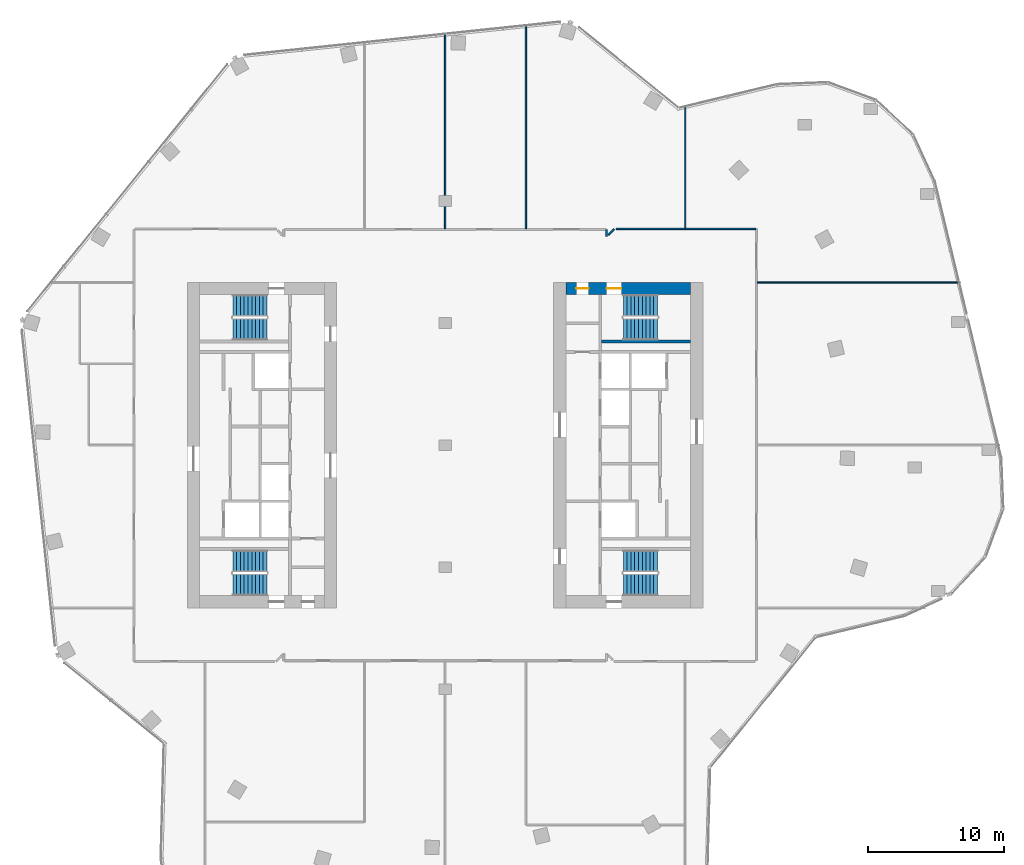
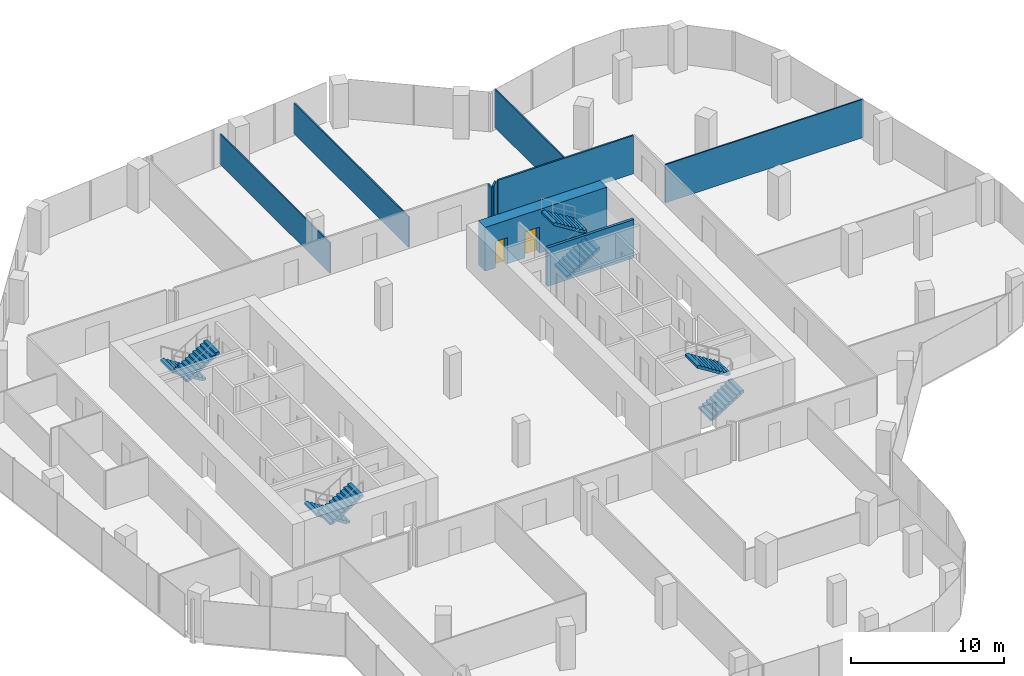
# One storey, part 21 of 23: 9 walls, 8 stair flights, 2 doors, 2 openings, 4 elements without a shape of their own.
"""IFC4 building model written with IfcOpenShell, lengths in metres."""

import ifcopenshell
import ifcopenshell.guid

model = None  # the IFC model being written
_history = None  # IfcOwnerHistory: only IFC2X3 demands one
_inside = {}  # id of a spatial element -> (the spatial element, [elements in it])
_under = {}  # id of a project, library or spatial element -> (it, [spatial elements below it])
_declared = {}  # id of a project -> (the project, [libraries it declares])
_typed = {}  # id of a type object -> (the type object, [elements of that type])
_made_of = {}  # id of a material, layer set ... -> (it, [elements and type objects made of it])


def new_model(schema):
    """Start an empty IFC model of exactly this schema.

    Asked for "IFC4X3", IfcOpenShell would pick the latest addendum, in which some entities
    have other attributes; the version numbers below select the first issue.
    IFC2X3 requires an IfcOwnerHistory on every rooted entity: one is made here for all.
    """
    global model, _history
    if schema == "IFC4X3":
        model = ifcopenshell.file(schema_version=(4, 3, 0, 0))
    else:
        model = ifcopenshell.file(schema=schema)
    _inside.clear()
    _under.clear()
    _declared.clear()
    _typed.clear()
    _made_of.clear()
    _history = None
    if model.schema == "IFC2X3":
        org = make("IfcOrganization", Name="unknown")
        user = make(
            "IfcPersonAndOrganization",
            ThePerson=make("IfcPerson", FamilyName="unknown"),
            TheOrganization=org,
        )
        app = make(
            "IfcApplication",
            ApplicationDeveloper=org,
            Version="unknown",
            ApplicationFullName="unknown",
            ApplicationIdentifier="unknown",
        )
        _history = make(
            "IfcOwnerHistory",
            OwningUser=user,
            OwningApplication=app,
            ChangeAction="ADDED",
            CreationDate=0,
        )
    return model


def make(cls, **values):
    """One entity of the class cls with the attributes given. An attribute that is None is left unset."""
    return model.create_entity(
        cls, **{name: value for name, value in values.items() if value is not None}
    )


def rooted(cls, **values):
    """An entity with a GlobalId (a new one), such as an element, a storey or a relation."""
    return make(cls, GlobalId=ifcopenshell.guid.new(), OwnerHistory=_history, **values)


def si_unit(unit_type, name, prefix=None):
    """IfcSIUnit, for example si_unit("LENGTHUNIT", "METRE", prefix="MILLI")."""
    return make("IfcSIUnit", UnitType=unit_type, Prefix=prefix, Name=name)


def assignment(units):
    """IfcUnitAssignment: the units of a project."""
    return None if units is None else make("IfcUnitAssignment", Units=units)


def point(xyz):
    """IfcCartesianPoint."""
    return None if xyz is None else make("IfcCartesianPoint", Coordinates=xyz)


def direction(xyz):
    """IfcDirection."""
    return None if xyz is None else make("IfcDirection", DirectionRatios=xyz)


def frame(location, z_axis=None, x_axis=None):
    """IfcAxis2Placement3D, a coordinate frame: its origin and axes. An axis left out is left unset."""
    return make(
        "IfcAxis2Placement3D",
        Location=point(location),
        Axis=direction(z_axis),
        RefDirection=direction(x_axis),
    )


def frame_2d(location, x_axis=None):
    """IfcAxis2Placement2D, a coordinate frame in the plane: its origin and x axis."""
    return make(
        "IfcAxis2Placement2D", Location=point(location), RefDirection=direction(x_axis)
    )


def origin():
    """The frame at (0, 0, 0) with its axes left unset."""
    return frame((0.0, 0.0, 0.0))


def place(relative_to, where):
    """IfcLocalPlacement: puts the frame where relative to a parent placement (None: the world)."""
    return make(
        "IfcLocalPlacement", PlacementRelTo=relative_to, RelativePlacement=where
    )


def context(
    kind, dimensions, precision=None, world=None, true_north=None, identifier=None
):
    """IfcGeometricRepresentationContext, for example the 3D "Model" context."""
    return make(
        "IfcGeometricRepresentationContext",
        ContextIdentifier=identifier,
        ContextType=kind,
        CoordinateSpaceDimension=dimensions,
        Precision=precision,
        WorldCoordinateSystem=world,
        TrueNorth=true_north,
    )


def subcontext(parent, identifier, kind, view, scale=None):
    """IfcGeometricRepresentationSubContext, for example "Body" below "Model"."""
    return make(
        "IfcGeometricRepresentationSubContext",
        ContextIdentifier=identifier,
        ContextType=kind,
        ParentContext=parent,
        TargetScale=scale,
        TargetView=view,
    )


def project(units=None, contexts=None):
    """IfcProject with its units and contexts."""
    return rooted(
        "IfcProject",
        Name="project",
        RepresentationContexts=contexts,
        UnitsInContext=assignment(units),
    )


def spatial(cls, under=None, at=None, **own):
    """A site, building, storey or space (cls), placed at a placement, below another one or the project."""
    s = rooted(cls, ObjectPlacement=at, **own)
    if under is not None:
        _under.setdefault(under.id(), (under, []))[1].append(s)
    return s


def polyline(points):
    """IfcPolyline through the points."""
    return make("IfcPolyline", Points=[point(p) for p in points])


def profile(cls, at=None, kind="AREA", **sizes):
    """A parametric profile (cls). Its sizes go by their IFC names, for example OverallWidth=200.0."""
    return make(cls, ProfileType=kind, Position=at, **sizes)


def rectangle(**sizes):
    """IfcRectangleProfileDef."""
    return profile("IfcRectangleProfileDef", **sizes)


def outline(outer, holes=None, kind="AREA"):
    """IfcArbitraryClosedProfileDef: a profile drawn as a closed curve; with holes, ...WithVoids."""
    if holes is None:
        return make("IfcArbitraryClosedProfileDef", ProfileType=kind, OuterCurve=outer)
    return make(
        "IfcArbitraryProfileDefWithVoids",
        ProfileType=kind,
        OuterCurve=outer,
        InnerCurves=holes,
    )


def extrude(swept, where, along, depth):
    """IfcExtrudedAreaSolid: the profile swept, set in the frame where, extruded along a direction by depth."""
    return make(
        "IfcExtrudedAreaSolid",
        SweptArea=swept,
        Position=where,
        ExtrudedDirection=direction(along),
        Depth=depth,
    )


def shape(context_of_items, identifier, shape_type, items):
    """IfcShapeRepresentation: the items that make up one representation, for example the "Body"."""
    return make(
        "IfcShapeRepresentation",
        ContextOfItems=context_of_items,
        RepresentationIdentifier=identifier,
        RepresentationType=shape_type,
        Items=items,
    )


def material(Name=None, Category=None):
    """IfcMaterial."""
    return make("IfcMaterial", Name=Name, Category=Category)


def layer(
    of_material, thickness, ventilated=None, Name=None, Category=None, Priority=None
):
    """IfcMaterialLayer: one layer of a wall or slab, of a material (None: an air gap)."""
    return make(
        "IfcMaterialLayer",
        Material=of_material,
        LayerThickness=thickness,
        IsVentilated=ventilated,
        Name=Name,
        Category=Category,
        Priority=Priority,
    )


def layer_set(layers, Name=None):
    """IfcMaterialLayerSet."""
    return make("IfcMaterialLayerSet", MaterialLayers=layers, LayerSetName=Name)


def made_of(thing, what):
    """Note that an element or type object is made of a material, layer set ...; save() writes the relation."""
    if what is not None:
        _made_of.setdefault(what.id(), (what, []))[1].append(thing)
    return thing


def type_object(cls, material=None, **own):
    """A type object (cls), such as IfcWallType, which elements share."""
    return made_of(rooted(cls, **own), material)


def element(
    cls,
    number,
    at=None,
    inside=None,
    cuts=None,
    type_object=None,
    material=None,
    context=None,
    identifier="Body",
    shape_type=None,
    held_by="IfcProductDefinitionShape",
    body=None,
    shapes=None,
    **own,
):
    """One element of the class cls, such as IfcWall. Its Tag is "e" and its number.

    at: its placement. inside: the storey or other place that contains it. cuts: it is an
    opening in that element (IfcRelVoidsElement). A single representation is given by context,
    identifier, shape_type and body (its items); several are given by shapes. held_by: the class
    of the entity that holds the representations. save() writes the other relations.
    """
    e = rooted(cls, Tag="e%d" % number, ObjectPlacement=at, **own)
    if body is not None:
        shapes = [shape(context, identifier, shape_type, body)]
    if shapes is not None:
        e.Representation = make(held_by, Representations=shapes)
    if inside is not None:
        _inside.setdefault(inside.id(), (inside, []))[1].append(e)
    if cuts is not None:
        rooted(
            "IfcRelVoidsElement", RelatingBuildingElement=cuts, RelatedOpeningElement=e
        )
    if type_object is not None:
        _typed.setdefault(type_object.id(), (type_object, []))[1].append(e)
    return made_of(e, material)


def fill(opening, filler):
    """IfcRelFillsElement: the door or window that sits in an opening."""
    return rooted(
        "IfcRelFillsElement",
        RelatingOpeningElement=opening,
        RelatedBuildingElement=filler,
    )


def aggregate(whole, parts):
    """IfcRelAggregates: a whole, such as a stair, and the parts it consists of."""
    return rooted("IfcRelAggregates", RelatingObject=whole, RelatedObjects=parts)


def save(model, path):
    """Write the relations noted so far, then the file.

    IfcRelAggregates (storeys below a building ...), IfcRelContainedInSpatialStructure (elements
    in a storey), IfcRelDefinesByType, IfcRelAssociatesMaterial and IfcRelDeclares: one each for
    every whole, place, type object, material and project.
    """
    for whole, parts in _under.values():
        aggregate(whole, parts)
    for where, things in _inside.values():
        rooted(
            "IfcRelContainedInSpatialStructure",
            RelatedElements=things,
            RelatingStructure=where,
        )
    for kind, things in _typed.values():
        rooted("IfcRelDefinesByType", RelatedObjects=things, RelatingType=kind)
    for what, things in _made_of.values():
        rooted("IfcRelAssociatesMaterial", RelatedObjects=things, RelatingMaterial=what)
    for by, libraries in _declared.values():
        rooted("IfcRelDeclares", RelatingContext=by, RelatedDefinitions=libraries)
    model.write(path)


model = new_model("IFC4")

# Units and contexts
model_context = context("Model", 3, precision=1e-05, world=origin(), true_north=direction((0.0, 1.0)))
body_context = subcontext(model_context, "Body", "Model", "MODEL_VIEW")
ifc_project = project(units=[si_unit("LENGTHUNIT", "METRE"), si_unit("AREAUNIT", "SQUARE_METRE"), si_unit("VOLUMEUNIT", "CUBIC_METRE"), si_unit("PLANEANGLEUNIT", "RADIAN"), si_unit("MASSUNIT", "GRAM", prefix="KILO")], contexts=[model_context])

# Site, building, storey
site_placement = place(None, origin())
site = spatial("IfcSite", under=ifc_project, at=site_placement, CompositionType="ELEMENT")
building_placement = place(site_placement, origin())
building = spatial("IfcBuilding", under=site, at=building_placement, Name="Orlundy Tower", CompositionType="ELEMENT")
storey_placement = place(building_placement, frame((0.0, 0.0, 221.0)))
storey = spatial("IfcBuildingStorey", under=building, at=storey_placement, Name="L58", CompositionType="ELEMENT", Elevation=221.0)

# Wall, openings, doors
ifc_material_1 = material(Name="Concrete C60/75", Category="concrete")
ifc_layer_1 = layer(ifc_material_1, 0.89990234375)
ifc_layer_set_1 = layer_set([ifc_layer_1], Name="CORE WALL 900 C60/75")
wall_type_1 = type_object("IfcWallType", Name="CORE WALL 900 C60/75", PredefinedType="SHEAR", material=ifc_layer_set_1)
wall_1_placement = place(storey_placement, frame((8.89990234375, 11.550048828125, 0.0), z_axis=(0.0, 0.0, 1.0), x_axis=(1.0, 0.0, 0.0)))
wall_1 = element("IfcWall", 1, at=wall_1_placement, inside=storey, type_object=wall_type_1, Name="Core wall E-N L58", PredefinedType="SHEAR", context=body_context, shape_type="SweptSolid", body=[
    extrude(rectangle(XDim=9.2001953125, YDim=0.89990234375, at=frame_2d((4.60009765625, 0.0))), origin(), (0.0, 0.0, 1.0), 3.5),
])
opening_1_placement = place(wall_1_placement, frame((3.0, 0.0, 0.0)))
opening_1 = element("IfcOpeningElement", 2, at=opening_1_placement, cuts=wall_1, Name="Opening 45062", PredefinedType="OPENING", context=body_context, shape_type="SweptSolid", body=[
    extrude(rectangle(XDim=1.10009765625, YDim=2.10009765625, at=frame_2d((0.550048828125, 1.050048828125))), frame((0.0, 0.4599609375, 0.0), z_axis=(0.0, -1.0, 0.0), x_axis=(1.0, 0.0, 0.0)), (0.0, 0.0, 1.0), 0.919921875),
])
opening_2_placement = place(wall_1_placement, frame((0.77001953125, 0.0, 0.0)))
opening_2 = element("IfcOpeningElement", 3, at=opening_2_placement, cuts=wall_1, Name="Opening 45064", PredefinedType="OPENING", context=body_context, shape_type="SweptSolid", body=[
    extrude(rectangle(XDim=0.89990234375, YDim=2.10009765625, at=frame_2d((0.449951171875, 1.050048828125))), frame((0.0, 0.4599609375, 0.0), z_axis=(0.0, -1.0, 0.0), x_axis=(1.0, 0.0, 0.0)), (0.0, 0.0, 1.0), 0.919921875),
])
ifc_material_2 = material(Name="Timber door set", Category="wood")
door_type_1 = type_object("IfcDoorType", Name="Room Door 900x2100", OperationType="SINGLE_SWING_LEFT", PredefinedType="DOOR", material=ifc_material_2)
door_1_placement = place(opening_2_placement, origin())
door_1 = element("IfcDoor", 4, at=door_1_placement, inside=storey, type_object=door_type_1, Name="Store door 45064", OperationType="SINGLE_SWING_LEFT", OverallHeight=2.10009765625, OverallWidth=0.89990234375, PredefinedType="DOOR", context=body_context, shape_type="SweptSolid", body=[
    extrude(rectangle(XDim=0.89990234375, YDim=2.10009765625, at=frame_2d((0.449951171875, 1.050048828125))), frame((0.0, 0.02490234375, 0.0), z_axis=(0.0, -1.0, 0.0), x_axis=(1.0, 0.0, 0.0)), (0.0, 0.0, 1.0), 0.050048828125),
])
fill(opening_2, door_1)
ifc_material_3 = material(Name="Steel door set", Category="steel")
door_type_2 = type_object("IfcDoorType", Name="Stair Door 1100x2100", OperationType="SINGLE_SWING_LEFT", PredefinedType="DOOR", material=ifc_material_3)
door_2_placement = place(opening_1_placement, origin())
door_2 = element("IfcDoor", 5, at=door_2_placement, inside=storey, type_object=door_type_2, Name="Stair door 45062", OperationType="SINGLE_SWING_LEFT", OverallHeight=2.10009765625, OverallWidth=1.10009765625, PredefinedType="DOOR", context=body_context, shape_type="SweptSolid", body=[
    extrude(rectangle(XDim=1.10009765625, YDim=2.10009765625, at=frame_2d((0.550048828125, 1.050048828125))), frame((0.0, 0.02490234375, 0.0), z_axis=(0.0, -1.0, 0.0), x_axis=(1.0, 0.0, 0.0)), (0.0, 0.0, 1.0), 0.050048828125),
])
fill(opening_1, door_2)

# Walls
ifc_material_4 = material(Name="Gypsum board partition")
ifc_layer_2 = layer(ifc_material_4, 0.10009765625)
ifc_layer_set_2 = layer_set([ifc_layer_2], Name="Floor partition 100")
wall_type_2 = type_object("IfcWallType", Name="Floor partition 100", PredefinedType="PARTITIONING", material=ifc_layer_set_2)
wall_2_placement = place(storey_placement, frame((23.013916015625, 12.0, 0.0), z_axis=(0.0, 0.0, 1.0), x_axis=(1.0, 0.0, 0.0)))
element("IfcWall", 6, at=wall_2_placement, inside=storey, type_object=wall_type_2, Name="wall-int-L58-014", PredefinedType="PARTITIONING", context=body_context, shape_type="SweptSolid", body=[
    extrude(rectangle(XDim=14.984130859375, YDim=0.10009765625, at=frame_2d((7.4921875, 0.0))), origin(), (0.0, 0.0, 1.0), 3.06005859375),
])
wall_3_placement = place(storey_placement, frame((17.705078125, 16.013916015625, 0.0), z_axis=(0.0, 0.0, 1.0), x_axis=(0.0, 1.0, 0.0)))
element("IfcWall", 7, at=wall_3_placement, inside=storey, type_object=wall_type_2, Name="wall-int-L58-021", PredefinedType="PARTITIONING", context=body_context, shape_type="SweptSolid", body=[
    extrude(rectangle(XDim=9.06201171875, YDim=0.10009765625, at=frame_2d((4.531005859375, 0.0))), origin(), (0.0, 0.0, 1.0), 3.06005859375),
])
ifc_material_5 = material(Name="Gypsum board partition")
ifc_layer_3 = layer(ifc_material_5, 0.10009765625)
ifc_layer_set_3 = layer_set([ifc_layer_3], Name="Floor partition 100 B")
wall_type_3 = type_object("IfcWallType", Name="Floor partition 100 B", PredefinedType="PARTITIONING", material=ifc_layer_set_3)
wall_4_placement = place(storey_placement, frame((5.948974609375, 15.962890625, 0.0), z_axis=(0.0, 0.0, 1.0), x_axis=(0.0, 1.0, 0.0)))
element("IfcWall", 8, at=wall_4_placement, inside=storey, type_object=wall_type_3, Name="wall-int-L58-026", PredefinedType="PARTITIONING", context=body_context, shape_type="SweptSolid", body=[
    extrude(rectangle(XDim=15.0791015625, YDim=0.10009765625, at=frame_2d((7.53955078125, 0.0))), origin(), (0.0, 0.0, 1.0), 2.448974609375),
])
wall_5_placement = place(storey_placement, frame((0.0, 15.962890625, 0.0), z_axis=(0.0, 0.0, 1.0), x_axis=(0.0, 1.0, 0.0)))
element("IfcWall", 9, at=wall_5_placement, inside=storey, type_object=wall_type_3, Name="wall-int-L58-028", PredefinedType="PARTITIONING", context=body_context, shape_type="SweptSolid", body=[
    extrude(rectangle(XDim=14.4541015625, YDim=0.10009765625, at=frame_2d((7.22705078125, 0.0))), origin(), (0.0, 0.0, 1.0), 2.448974609375),
])
ifc_material_6 = material(Name="Gypsum board partition, double layer")
ifc_layer_4 = layer(ifc_material_6, 0.125)
ifc_layer_set_4 = layer_set([ifc_layer_4], Name="Floor partition 125")
wall_type_4 = type_object("IfcWallType", Name="Floor partition 125", PredefinedType="PARTITIONING", material=ifc_layer_set_4)
wall_6_placement = place(storey_placement, frame((12.611083984375, 15.950927734375, 0.0), z_axis=(0.0, 0.0, 1.0), x_axis=(1.0, 0.0, 0.0)))
element("IfcWall", 10, at=wall_6_placement, inside=storey, type_object=wall_type_4, Name="wall-int-L58-017", PredefinedType="PARTITIONING", context=body_context, shape_type="SweptSolid", body=[
    extrude(rectangle(XDim=10.27587890625, YDim=0.125, at=frame_2d((5.137939453125, 0.0))), origin(), (0.0, 0.0, 1.0), 3.06005859375),
])
wall_7_placement = place(storey_placement, frame((12.029052734375, 15.507080078125, 0.0), z_axis=(0.0, 0.0, 1.0), x_axis=(0.707106781187, 0.707106781187, 0.0)))
element("IfcWall", 11, at=wall_7_placement, inside=storey, type_object=wall_type_4, Name="wall-int-L58-019", PredefinedType="PARTITIONING", context=body_context, shape_type="SweptSolid", body=[
    extrude(rectangle(XDim=0.599365234375, YDim=0.125, at=frame_2d((0.2998046875, 0.0))), origin(), (0.0, 0.0, 1.0), 3.06005859375),
])
wall_8_placement = place(storey_placement, frame((11.90087890625, 15.39208984375, 0.0), z_axis=(0.0, 0.0, 1.0), x_axis=(0.0, 1.0, 0.0)))
element("IfcWall", 12, at=wall_8_placement, inside=storey, type_object=wall_type_4, Name="wall-int-L58-024", PredefinedType="PARTITIONING", context=body_context, shape_type="SweptSolid", body=[
    extrude(rectangle(XDim=0.5078125, YDim=0.125, at=frame_2d((0.25390625, 0.0))), origin(), (0.0, 0.0, 1.0), 3.06005859375),
])
ifc_material_7 = material(Name="Concrete C40/50", Category="concrete")
ifc_layer_5 = layer(ifc_material_7, 0.199951171875)
ifc_layer_set_5 = layer_set([ifc_layer_5], Name="Load-bearing Shaft Wall 200")
wall_type_5 = type_object("IfcWallType", Name="Load-bearing Shaft Wall 200", PredefinedType="SOLIDWALL", material=ifc_layer_set_5)
wall_9_placement = place(storey_placement, frame((11.5400390625, 7.64990234375, 0.0), z_axis=(0.0, 0.0, 1.0), x_axis=(1.0, 0.0, 0.0)))
element("IfcWall", 13, at=wall_9_placement, inside=storey, type_object=wall_type_5, Name="Shaft wall E45-stair-side-s", PredefinedType="SOLIDWALL", context=body_context, shape_type="SweptSolid", body=[
    extrude(rectangle(XDim=6.56005859375, YDim=0.199951171875, at=frame_2d((3.280029296875, 0.0))), origin(), (0.0, 0.0, 1.0), 3.080078125),
])

# Stair, stair flights
ifc_material_8 = material(Name="Concrete C50/60", Category="concrete")
stair_type = type_object("IfcStairType", Name="Exit Stair 20 risers", PredefinedType="HALF_TURN_STAIR", material=ifc_material_8)
stair_1_placement = place(storey_placement, origin())
stair_1 = element("IfcStair", 14, at=stair_1_placement, inside=storey, type_object=stair_type, Name="L58 Exit Stair ST-W1", PredefinedType="HALF_TURN_STAIR")
ifc_material_9 = material(Name="Concrete C50/60", Category="concrete")
stair_flight_type = type_object("IfcStairFlightType", Name="Stair Flight 10 risers", PredefinedType="STRAIGHT", material=ifc_material_9)
stair_flight_1_placement = place(storey_placement, frame((-13.139892578125, 10.300048828125, 0.0), z_axis=(0.0, 0.0, 1.0), x_axis=(-1.0, 0.0, 0.0)))
stair_flight_1 = element("IfcStairFlight", 15, at=stair_flight_1_placement, type_object=stair_flight_type, Name="ST-W1 flight 1", NumberOfRisers=10, NumberOfTreads=9, PredefinedType="STRAIGHT", RiserHeight=0.175, TreadLength=0.28, context=body_context, shape_type="SweptSolid", body=[
    extrude(outline(polyline([(0.0, 0.0), (0.0, 0.175048828125), (0.280029296875, 0.175048828125), (0.280029296875, 0.35009765625), (0.56005859375, 0.35009765625), (0.56005859375, 0.52490234375), (0.840087890625, 0.52490234375), (0.840087890625, 0.699951171875), (1.1201171875, 0.699951171875), (1.1201171875, 0.875), (1.39990234375, 0.875), (1.39990234375, 1.050048828125), (1.679931640625, 1.050048828125), (1.679931640625, 1.22509765625), (1.9599609375, 1.22509765625), (1.9599609375, 1.39990234375), (2.239990234375, 1.39990234375), (2.239990234375, 1.574951171875), (2.52001953125, 1.574951171875), (2.52001953125, 1.75), (2.52001953125, 1.398193359375), (0.28271484375, 0.0), (0.0, 0.0)])), frame((0.0, 0.800048828125, 0.0), z_axis=(0.0, -1.0, 0.0), x_axis=(1.0, 0.0, 0.0)), (0.0, 0.0, 1.0), 1.60009765625),
])
stair_flight_2_placement = place(storey_placement, frame((-15.659912109375, 8.550048828125, 1.75), z_axis=(0.0, 0.0, 1.0), x_axis=(1.0, 0.0, 0.0)))
stair_flight_2 = element("IfcStairFlight", 16, at=stair_flight_2_placement, type_object=stair_flight_type, Name="ST-W1 flight 2", NumberOfRisers=10, NumberOfTreads=9, PredefinedType="STRAIGHT", RiserHeight=0.175, TreadLength=0.28, context=body_context, shape_type="SweptSolid", body=[
    extrude(outline(polyline([(0.0, 0.0), (0.0, 0.175048828125), (0.280029296875, 0.175048828125), (0.280029296875, 0.35009765625), (0.56005859375, 0.35009765625), (0.56005859375, 0.52490234375), (0.840087890625, 0.52490234375), (0.840087890625, 0.699951171875), (1.1201171875, 0.699951171875), (1.1201171875, 0.875), (1.39990234375, 0.875), (1.39990234375, 1.050048828125), (1.679931640625, 1.050048828125), (1.679931640625, 1.22509765625), (1.9599609375, 1.22509765625), (1.9599609375, 1.39990234375), (2.239990234375, 1.39990234375), (2.239990234375, 1.574951171875), (2.52001953125, 1.574951171875), (2.52001953125, 1.75), (2.52001953125, 1.398193359375), (0.28271484375, 0.0), (0.0, 0.0)])), frame((0.0, 0.800048828125, 0.0), z_axis=(0.0, -1.0, 0.0), x_axis=(1.0, 0.0, 0.0)), (0.0, 0.0, 1.0), 1.60009765625),
])
aggregate(stair_1, [stair_flight_1, stair_flight_2])

stair_2_placement = place(storey_placement, origin())
stair_2 = element("IfcStair", 17, at=stair_2_placement, inside=storey, type_object=stair_type, Name="L58 Exit Stair ST-W2", PredefinedType="HALF_TURN_STAIR")
stair_flight_3_placement = place(storey_placement, frame((-13.139892578125, -8.550048828125, 0.0), z_axis=(0.0, 0.0, 1.0), x_axis=(-1.0, 0.0, 0.0)))
stair_flight_3 = element("IfcStairFlight", 18, at=stair_flight_3_placement, type_object=stair_flight_type, Name="ST-W2 flight 1", NumberOfRisers=10, NumberOfTreads=9, PredefinedType="STRAIGHT", RiserHeight=0.175, TreadLength=0.28, context=body_context, shape_type="SweptSolid", body=[
    extrude(outline(polyline([(0.0, 0.0), (0.0, 0.175048828125), (0.280029296875, 0.175048828125), (0.280029296875, 0.35009765625), (0.56005859375, 0.35009765625), (0.56005859375, 0.52490234375), (0.840087890625, 0.52490234375), (0.840087890625, 0.699951171875), (1.1201171875, 0.699951171875), (1.1201171875, 0.875), (1.39990234375, 0.875), (1.39990234375, 1.050048828125), (1.679931640625, 1.050048828125), (1.679931640625, 1.22509765625), (1.9599609375, 1.22509765625), (1.9599609375, 1.39990234375), (2.239990234375, 1.39990234375), (2.239990234375, 1.574951171875), (2.52001953125, 1.574951171875), (2.52001953125, 1.75), (2.52001953125, 1.398193359375), (0.28271484375, 0.0), (0.0, 0.0)])), frame((0.0, 0.800048828125, 0.0), z_axis=(0.0, -1.0, 0.0), x_axis=(1.0, 0.0, 0.0)), (0.0, 0.0, 1.0), 1.60009765625),
])
stair_flight_4_placement = place(storey_placement, frame((-15.659912109375, -10.300048828125, 1.75), z_axis=(0.0, 0.0, 1.0), x_axis=(1.0, 0.0, 0.0)))
stair_flight_4 = element("IfcStairFlight", 19, at=stair_flight_4_placement, type_object=stair_flight_type, Name="ST-W2 flight 2", NumberOfRisers=10, NumberOfTreads=9, PredefinedType="STRAIGHT", RiserHeight=0.175, TreadLength=0.28, context=body_context, shape_type="SweptSolid", body=[
    extrude(outline(polyline([(0.0, 0.0), (0.0, 0.175048828125), (0.280029296875, 0.175048828125), (0.280029296875, 0.35009765625), (0.56005859375, 0.35009765625), (0.56005859375, 0.52490234375), (0.840087890625, 0.52490234375), (0.840087890625, 0.699951171875), (1.1201171875, 0.699951171875), (1.1201171875, 0.875), (1.39990234375, 0.875), (1.39990234375, 1.050048828125), (1.679931640625, 1.050048828125), (1.679931640625, 1.22509765625), (1.9599609375, 1.22509765625), (1.9599609375, 1.39990234375), (2.239990234375, 1.39990234375), (2.239990234375, 1.574951171875), (2.52001953125, 1.574951171875), (2.52001953125, 1.75), (2.52001953125, 1.398193359375), (0.28271484375, 0.0), (0.0, 0.0)])), frame((0.0, 0.800048828125, 0.0), z_axis=(0.0, -1.0, 0.0), x_axis=(1.0, 0.0, 0.0)), (0.0, 0.0, 1.0), 1.60009765625),
])
aggregate(stair_2, [stair_flight_3, stair_flight_4])

stair_3_placement = place(storey_placement, origin())
stair_3 = element("IfcStair", 20, at=stair_3_placement, inside=storey, type_object=stair_type, Name="L58 Exit Stair ST-E1", PredefinedType="HALF_TURN_STAIR")
stair_flight_5_placement = place(storey_placement, frame((13.139892578125, -10.300048828125, 0.0), z_axis=(0.0, 0.0, 1.0), x_axis=(1.0, 0.0, 0.0)))
stair_flight_5 = element("IfcStairFlight", 21, at=stair_flight_5_placement, type_object=stair_flight_type, Name="ST-E1 flight 1", NumberOfRisers=10, NumberOfTreads=9, PredefinedType="STRAIGHT", RiserHeight=0.175, TreadLength=0.28, context=body_context, shape_type="SweptSolid", body=[
    extrude(outline(polyline([(0.0, 0.0), (0.0, 0.175048828125), (0.280029296875, 0.175048828125), (0.280029296875, 0.35009765625), (0.56005859375, 0.35009765625), (0.56005859375, 0.52490234375), (0.840087890625, 0.52490234375), (0.840087890625, 0.699951171875), (1.1201171875, 0.699951171875), (1.1201171875, 0.875), (1.39990234375, 0.875), (1.39990234375, 1.050048828125), (1.679931640625, 1.050048828125), (1.679931640625, 1.22509765625), (1.9599609375, 1.22509765625), (1.9599609375, 1.39990234375), (2.239990234375, 1.39990234375), (2.239990234375, 1.574951171875), (2.52001953125, 1.574951171875), (2.52001953125, 1.75), (2.52001953125, 1.398193359375), (0.28271484375, 0.0), (0.0, 0.0)])), frame((0.0, 0.800048828125, 0.0), z_axis=(0.0, -1.0, 0.0), x_axis=(1.0, 0.0, 0.0)), (0.0, 0.0, 1.0), 1.60009765625),
])
stair_flight_6_placement = place(storey_placement, frame((15.659912109375, -8.550048828125, 1.75), z_axis=(0.0, 0.0, 1.0), x_axis=(-1.0, 0.0, 0.0)))
stair_flight_6 = element("IfcStairFlight", 22, at=stair_flight_6_placement, type_object=stair_flight_type, Name="ST-E1 flight 2", NumberOfRisers=10, NumberOfTreads=9, PredefinedType="STRAIGHT", RiserHeight=0.175, TreadLength=0.28, context=body_context, shape_type="SweptSolid", body=[
    extrude(outline(polyline([(0.0, 0.0), (0.0, 0.175048828125), (0.280029296875, 0.175048828125), (0.280029296875, 0.35009765625), (0.56005859375, 0.35009765625), (0.56005859375, 0.52490234375), (0.840087890625, 0.52490234375), (0.840087890625, 0.699951171875), (1.1201171875, 0.699951171875), (1.1201171875, 0.875), (1.39990234375, 0.875), (1.39990234375, 1.050048828125), (1.679931640625, 1.050048828125), (1.679931640625, 1.22509765625), (1.9599609375, 1.22509765625), (1.9599609375, 1.39990234375), (2.239990234375, 1.39990234375), (2.239990234375, 1.574951171875), (2.52001953125, 1.574951171875), (2.52001953125, 1.75), (2.52001953125, 1.398193359375), (0.28271484375, 0.0), (0.0, 0.0)])), frame((0.0, 0.800048828125, 0.0), z_axis=(0.0, -1.0, 0.0), x_axis=(1.0, 0.0, 0.0)), (0.0, 0.0, 1.0), 1.60009765625),
])
aggregate(stair_3, [stair_flight_5, stair_flight_6])

stair_4_placement = place(storey_placement, origin())
stair_4 = element("IfcStair", 23, at=stair_4_placement, inside=storey, type_object=stair_type, Name="L58 Exit Stair ST-E2", PredefinedType="HALF_TURN_STAIR")
stair_flight_7_placement = place(storey_placement, frame((13.139892578125, 8.550048828125, 0.0), z_axis=(0.0, 0.0, 1.0), x_axis=(1.0, 0.0, 0.0)))
stair_flight_7 = element("IfcStairFlight", 24, at=stair_flight_7_placement, type_object=stair_flight_type, Name="ST-E2 flight 1", NumberOfRisers=10, NumberOfTreads=9, PredefinedType="STRAIGHT", RiserHeight=0.175, TreadLength=0.28, context=body_context, shape_type="SweptSolid", body=[
    extrude(outline(polyline([(0.0, 0.0), (0.0, 0.175048828125), (0.280029296875, 0.175048828125), (0.280029296875, 0.35009765625), (0.56005859375, 0.35009765625), (0.56005859375, 0.52490234375), (0.840087890625, 0.52490234375), (0.840087890625, 0.699951171875), (1.1201171875, 0.699951171875), (1.1201171875, 0.875), (1.39990234375, 0.875), (1.39990234375, 1.050048828125), (1.679931640625, 1.050048828125), (1.679931640625, 1.22509765625), (1.9599609375, 1.22509765625), (1.9599609375, 1.39990234375), (2.239990234375, 1.39990234375), (2.239990234375, 1.574951171875), (2.52001953125, 1.574951171875), (2.52001953125, 1.75), (2.52001953125, 1.398193359375), (0.28271484375, 0.0), (0.0, 0.0)])), frame((0.0, 0.800048828125, 0.0), z_axis=(0.0, -1.0, 0.0), x_axis=(1.0, 0.0, 0.0)), (0.0, 0.0, 1.0), 1.60009765625),
])
stair_flight_8_placement = place(storey_placement, frame((15.659912109375, 10.300048828125, 1.75), z_axis=(0.0, 0.0, 1.0), x_axis=(-1.0, 0.0, 0.0)))
stair_flight_8 = element("IfcStairFlight", 25, at=stair_flight_8_placement, type_object=stair_flight_type, Name="ST-E2 flight 2", NumberOfRisers=10, NumberOfTreads=9, PredefinedType="STRAIGHT", RiserHeight=0.175, TreadLength=0.28, context=body_context, shape_type="SweptSolid", body=[
    extrude(outline(polyline([(0.0, 0.0), (0.0, 0.175048828125), (0.280029296875, 0.175048828125), (0.280029296875, 0.35009765625), (0.56005859375, 0.35009765625), (0.56005859375, 0.52490234375), (0.840087890625, 0.52490234375), (0.840087890625, 0.699951171875), (1.1201171875, 0.699951171875), (1.1201171875, 0.875), (1.39990234375, 0.875), (1.39990234375, 1.050048828125), (1.679931640625, 1.050048828125), (1.679931640625, 1.22509765625), (1.9599609375, 1.22509765625), (1.9599609375, 1.39990234375), (2.239990234375, 1.39990234375), (2.239990234375, 1.574951171875), (2.52001953125, 1.574951171875), (2.52001953125, 1.75), (2.52001953125, 1.398193359375), (0.28271484375, 0.0), (0.0, 0.0)])), frame((0.0, 0.800048828125, 0.0), z_axis=(0.0, -1.0, 0.0), x_axis=(1.0, 0.0, 0.0)), (0.0, 0.0, 1.0), 1.60009765625),
])
aggregate(stair_4, [stair_flight_7, stair_flight_8])

save(model, "model.ifc")
